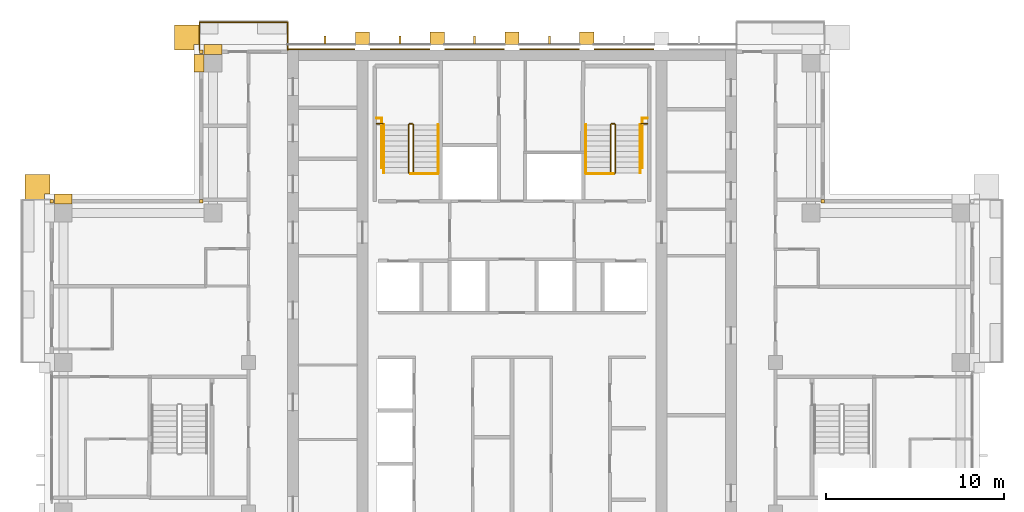
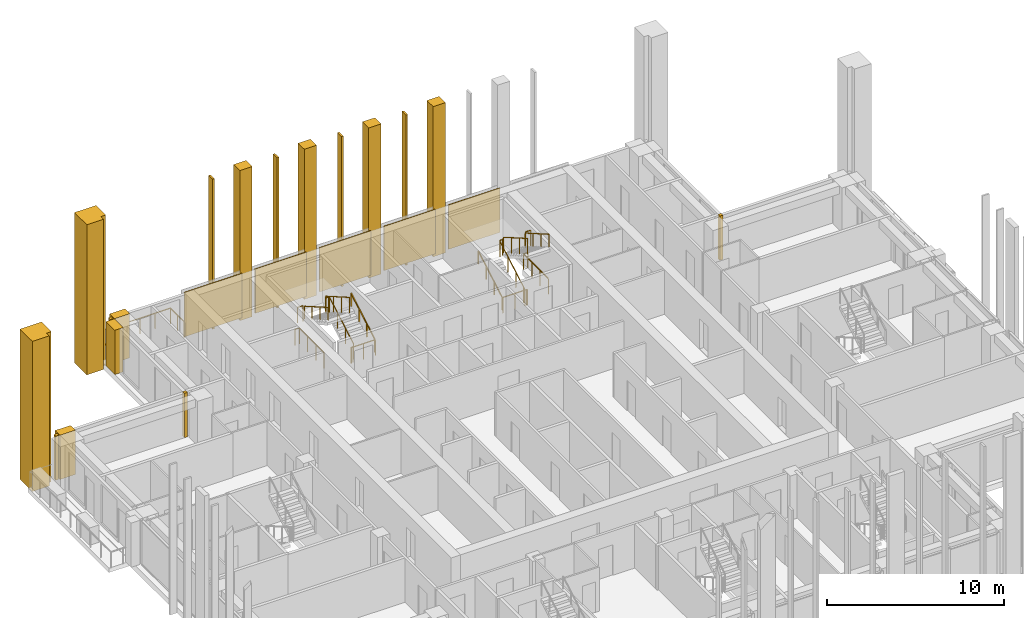
# One storey, part 16 of 17: 22 coverings, 13 railings.
"""IFC4 building model written with IfcOpenShell, lengths in metres."""

from ifc_helpers import new_model, si_unit, direction, frame, origin, origin_2d, place, context, subcontext, project, spatial, polyline, rectangle, outline, extrude, material, layer, layer_set, type_object, element, save


model = new_model("IFC4")

# Units and contexts
model_context = context("Model", 3, precision=1e-05, world=origin(), true_north=direction((0.0, 1.0)))
body_context = subcontext(model_context, "Body", "Model", "MODEL_VIEW")
ifc_project = project(units=[si_unit("LENGTHUNIT", "METRE"), si_unit("AREAUNIT", "SQUARE_METRE"), si_unit("VOLUMEUNIT", "CUBIC_METRE"), si_unit("PLANEANGLEUNIT", "RADIAN"), si_unit("MASSUNIT", "GRAM", prefix="KILO")], contexts=[model_context])

# Site, building, storey
site_placement = place(None, origin())
site = spatial("IfcSite", under=ifc_project, at=site_placement, CompositionType="ELEMENT")
building_placement = place(site_placement, origin())
building = spatial("IfcBuilding", under=site, at=building_placement, Name="Vermilion Ogive Tower", CompositionType="ELEMENT")
storey_placement = place(building_placement, frame((0.0, 0.0, 175.550048828125)))
storey = spatial("IfcBuildingStorey", under=building, at=storey_placement, Name="L45", CompositionType="ELEMENT", Elevation=175.550048828125)

# Railing
ifc_material_1 = material(Name="Stainless steel and glass", Category="steel")
railing_type_1 = type_object("IfcRailingType", Name="Balcony guard", PredefinedType="GUARDRAIL", material=ifc_material_1)
railing_1_placement = place(storey_placement, frame((-12.60009765625, 21.75, -0.0400390625)))
element("IfcRailing", 1, at=railing_1_placement, inside=storey, type_object=railing_type_1, Name="Guard N201", PredefinedType="GUARDRAIL", context=body_context, shape_type="SweptSolid", body=[
    extrude(rectangle(XDim=0.048095703125, YDim=0.048095703125, at=origin_2d()), frame((0.0, 0.0, 1.076171875), z_axis=(0.0, 1.0, 0.0), x_axis=(-1.0, 0.0, 0.0)), (0.0, 0.0, 1.0), 1.56396484375),
    extrude(rectangle(XDim=0.048095703125, YDim=0.048095703125, at=origin_2d()), frame((0.0, 1.56396484375, 1.076171875), z_axis=(-1.0, 0.0, 0.0), x_axis=(0.0, -1.0, 0.0)), (0.0, 0.0, 1.0), 4.949951171875),
    extrude(rectangle(XDim=0.048095703125, YDim=0.048095703125, at=origin_2d()), frame((-4.949951171875, 1.56396484375, 1.076171875), z_axis=(0.0, -1.0, 0.0), x_axis=(1.0, 0.0, 0.0)), (0.0, 0.0, 1.0), 1.56396484375),
    extrude(rectangle(XDim=0.0419921875, YDim=0.0419921875, at=origin_2d()), origin(), (0.0, 0.0, 1.0), 1.052001953125),
    extrude(rectangle(XDim=0.0419921875, YDim=0.0419921875, at=origin_2d()), frame((0.0, 0.781982421875, 0.0)), (0.0, 0.0, 1.0), 1.052001953125),
    extrude(rectangle(XDim=0.0419921875, YDim=0.0419921875, at=origin_2d()), frame((0.0, 1.56396484375, 0.0)), (0.0, 0.0, 1.0), 1.052001953125),
    extrude(rectangle(XDim=0.0419921875, YDim=0.0419921875, at=origin_2d()), frame((-0.989990234375, 1.56396484375, 0.0)), (0.0, 0.0, 1.0), 1.052001953125),
    extrude(rectangle(XDim=0.0419921875, YDim=0.0419921875, at=origin_2d()), frame((-1.97998046875, 1.56396484375, 0.0)), (0.0, 0.0, 1.0), 1.052001953125),
    extrude(rectangle(XDim=0.0419921875, YDim=0.0419921875, at=origin_2d()), frame((-2.969970703125, 1.56396484375, 0.0)), (0.0, 0.0, 1.0), 1.052001953125),
    extrude(rectangle(XDim=0.0419921875, YDim=0.0419921875, at=origin_2d()), frame((-3.9599609375, 1.56396484375, 0.0)), (0.0, 0.0, 1.0), 1.052001953125),
    extrude(rectangle(XDim=0.0419921875, YDim=0.0419921875, at=origin_2d()), frame((-4.949951171875, 1.56396484375, 0.0)), (0.0, 0.0, 1.0), 1.052001953125),
    extrude(rectangle(XDim=0.0419921875, YDim=0.0419921875, at=origin_2d()), frame((-4.949951171875, 0.781982421875, 0.0)), (0.0, 0.0, 1.0), 1.052001953125),
    extrude(rectangle(XDim=0.0419921875, YDim=0.0419921875, at=origin_2d()), frame((-4.949951171875, 0.0, 0.0)), (0.0, 0.0, 1.0), 1.052001953125),
])

# Coverings
ifc_material_2 = material(Name="Glazed ceramic screen")
ifc_layer = layer(ifc_material_2, 0.14990234375)
ifc_layer_set = layer_set([ifc_layer], Name="Ceramic solar screen fin")
covering_type_1 = type_object("IfcCoveringType", Name="Ceramic solar screen fin", PredefinedType="CLADDING", material=ifc_layer_set)
covering_1_placement = place(storey_placement, frame((0.0, 0.0, -0.400146484375)))
element("IfcCovering", 2, at=covering_1_placement, inside=storey, type_object=covering_type_1, Name="Solar screen blade N1", PredefinedType="CLADDING", context=body_context, shape_type="SweptSolid", body=[
    extrude(outline(polyline([(-10.56005859375, 22.08203125), (-10.43994140625, 22.08203125), (-10.43994140625, 22.531982421875), (-10.56005859375, 22.531982421875), (-10.56005859375, 22.08203125)])), origin(), (0.0, 0.0, 1.0), 10.35009765625),
])
covering_2_placement = place(storey_placement, frame((0.0, 0.0, -0.400146484375)))
element("IfcCovering", 3, at=covering_2_placement, inside=storey, type_object=covering_type_1, Name="Solar screen blade N2", PredefinedType="CLADDING", context=body_context, shape_type="SweptSolid", body=[
    extrude(outline(polyline([(-6.360107421875, 22.08203125), (-6.239990234375, 22.08203125), (-6.239990234375, 22.531982421875), (-6.360107421875, 22.531982421875), (-6.360107421875, 22.08203125)])), origin(), (0.0, 0.0, 1.0), 10.35009765625),
])
covering_3_placement = place(storey_placement, frame((0.0, 0.0, -0.400146484375)))
element("IfcCovering", 4, at=covering_3_placement, inside=storey, type_object=covering_type_1, Name="Solar screen blade N3", PredefinedType="CLADDING", context=body_context, shape_type="SweptSolid", body=[
    extrude(outline(polyline([(-2.159912109375, 22.08203125), (-2.0400390625, 22.08203125), (-2.0400390625, 22.531982421875), (-2.159912109375, 22.531982421875), (-2.159912109375, 22.08203125)])), origin(), (0.0, 0.0, 1.0), 10.35009765625),
])
covering_4_placement = place(storey_placement, frame((0.0, 0.0, -0.400146484375)))
element("IfcCovering", 5, at=covering_4_placement, inside=storey, type_object=covering_type_1, Name="Solar screen blade N4", PredefinedType="CLADDING", context=body_context, shape_type="SweptSolid", body=[
    extrude(outline(polyline([(2.0400390625, 22.08203125), (2.159912109375, 22.08203125), (2.159912109375, 22.531982421875), (2.0400390625, 22.531982421875), (2.0400390625, 22.08203125)])), origin(), (0.0, 0.0, 1.0), 10.35009765625),
])

# Railings
ifc_material_3 = material(Name="Steel S355 painted", Category="steel")
railing_type_2 = type_object("IfcRailingType", Name="Stair guard 1100", PredefinedType="GUARDRAIL", material=ifc_material_3)
railing_2_placement = place(storey_placement, frame((-5.75, 14.800048828125, 0.0)))
element("IfcRailing", 6, at=railing_2_placement, inside=storey, type_object=railing_type_2, Name="L45 ST1 stair guard 4", PredefinedType="GUARDRAIL", context=body_context, shape_type="SweptSolid", body=[
    extrude(rectangle(XDim=0.048095703125, YDim=0.048095703125, at=origin_2d()), frame((0.0, 0.0, 1.076171875), z_axis=(1.0, 0.0, 0.0), x_axis=(0.0, 1.0, 0.0)), (0.0, 0.0, 1.0), 0.14990234375),
    extrude(rectangle(XDim=0.048095703125, YDim=0.048095703125, at=origin_2d()), frame((0.14990234375, 0.0, 1.076171875), z_axis=(0.268603158521, 0.268603158521, 0.925043072762), x_axis=(-0.707106781187, 0.707106781187, 0.0)), (0.0, 0.0, 1.0), 0.186279296875),
    extrude(rectangle(XDim=0.048095703125, YDim=0.048095703125, at=origin_2d()), frame((0.199951171875, 0.050048828125, 1.24853515625), z_axis=(0.0, 0.866903762492, 0.498475542607), x_axis=(-1.0, 0.0, 0.0)), (0.0, 0.0, 1.0), 3.114501953125),
    extrude(rectangle(XDim=0.048095703125, YDim=0.048095703125, at=origin_2d()), frame((0.199951171875, 2.75, 2.80078125), z_axis=(-0.707106781187, 0.707106781187, 0.0), x_axis=(-0.707106781187, -0.707106781187, 0.0)), (0.0, 0.0, 1.0), 0.07080078125),
    extrude(rectangle(XDim=0.048095703125, YDim=0.048095703125, at=origin_2d()), frame((0.14990234375, 2.800048828125, 2.80078125), z_axis=(-1.0, 0.0, 0.0), x_axis=(0.0, -1.0, 0.0)), (0.0, 0.0, 1.0), 0.14990234375),
    extrude(rectangle(XDim=0.048095703125, YDim=0.048095703125, at=origin_2d()), frame((0.0, 2.800048828125, 2.80078125), z_axis=(-0.268277960024, -0.268277960024, 0.925231793839), x_axis=(0.707106781187, -0.707106781187, 0.0)), (0.0, 0.0, 1.0), 0.1865234375),
    extrude(rectangle(XDim=0.048095703125, YDim=0.048095703125, at=origin_2d()), frame((-0.050048828125, 2.75, 2.9736328125), z_axis=(0.0, -0.866903762492, 0.498475542607), x_axis=(1.0, 0.0, 0.0)), (0.0, 0.0, 1.0), 3.114501953125),
    extrude(rectangle(XDim=0.0419921875, YDim=0.0419921875, at=origin_2d()), origin(), (0.0, 0.0, 1.0), 1.052001953125),
    extrude(rectangle(XDim=0.0419921875, YDim=0.0419921875, at=origin_2d()), frame((0.14990234375, 0.0, 0.0)), (0.0, 0.0, 1.0), 1.052001953125),
    extrude(rectangle(XDim=0.0419921875, YDim=0.0419921875, at=origin_2d()), frame((0.199951171875, 0.050048828125, 0.17236328125)), (0.0, 0.0, 1.0), 1.052001953125),
    extrude(rectangle(XDim=0.0419921875, YDim=0.0419921875, at=origin_2d()), frame((0.199951171875, 0.949951171875, 0.68994140625)), (0.0, 0.0, 1.0), 1.052001953125),
    extrude(rectangle(XDim=0.0419921875, YDim=0.0419921875, at=origin_2d()), frame((0.199951171875, 1.85009765625, 1.207275390625)), (0.0, 0.0, 1.0), 1.052001953125),
    extrude(rectangle(XDim=0.0419921875, YDim=0.0419921875, at=origin_2d()), frame((0.199951171875, 2.75, 1.724853515625)), (0.0, 0.0, 1.0), 1.052001953125),
    extrude(rectangle(XDim=0.0419921875, YDim=0.0419921875, at=origin_2d()), frame((0.14990234375, 2.800048828125, 1.724853515625)), (0.0, 0.0, 1.0), 1.052001953125),
    extrude(rectangle(XDim=0.0419921875, YDim=0.0419921875, at=origin_2d()), frame((0.0, 2.800048828125, 1.724853515625)), (0.0, 0.0, 1.0), 1.052001953125),
    extrude(rectangle(XDim=0.0419921875, YDim=0.0419921875, at=origin_2d()), frame((-0.050048828125, 2.75, 1.8974609375)), (0.0, 0.0, 1.0), 1.052001953125),
    extrude(rectangle(XDim=0.0419921875, YDim=0.0419921875, at=origin_2d()), frame((-0.050048828125, 1.85009765625, 2.4150390625)), (0.0, 0.0, 1.0), 1.052001953125),
    extrude(rectangle(XDim=0.0419921875, YDim=0.0419921875, at=origin_2d()), frame((-0.050048828125, 0.949951171875, 2.932373046875)), (0.0, 0.0, 1.0), 1.052001953125),
    extrude(rectangle(XDim=0.0419921875, YDim=0.0419921875, at=origin_2d()), frame((-0.050048828125, 0.050048828125, 3.449951171875)), (0.0, 0.0, 1.0), 1.052001953125),
])
railing_3_placement = place(storey_placement, frame((5.75, 14.800048828125, 0.0)))
element("IfcRailing", 7, at=railing_3_placement, inside=storey, type_object=railing_type_2, Name="L45 ST2 stair guard 4", PredefinedType="GUARDRAIL", context=body_context, shape_type="SweptSolid", body=[
    extrude(rectangle(XDim=0.048095703125, YDim=0.048095703125, at=origin_2d()), frame((0.0, 0.0, 1.076171875), z_axis=(-1.0, 0.0, 0.0), x_axis=(0.0, -1.0, 0.0)), (0.0, 0.0, 1.0), 0.14990234375),
    extrude(rectangle(XDim=0.048095703125, YDim=0.048095703125, at=origin_2d()), frame((-0.14990234375, 0.0, 1.076171875), z_axis=(-0.268603158521, 0.268603158521, 0.925043072762), x_axis=(-0.707106781187, -0.707106781187, 0.0)), (0.0, 0.0, 1.0), 0.186279296875),
    extrude(rectangle(XDim=0.048095703125, YDim=0.048095703125, at=origin_2d()), frame((-0.199951171875, 0.050048828125, 1.24853515625), z_axis=(0.0, 0.866903762492, 0.498475542607), x_axis=(-1.0, 0.0, 0.0)), (0.0, 0.0, 1.0), 3.114501953125),
    extrude(rectangle(XDim=0.048095703125, YDim=0.048095703125, at=origin_2d()), frame((-0.199951171875, 2.75, 2.80078125), z_axis=(0.707106781187, 0.707106781187, 0.0), x_axis=(-0.707106781187, 0.707106781187, 0.0)), (0.0, 0.0, 1.0), 0.07080078125),
    extrude(rectangle(XDim=0.048095703125, YDim=0.048095703125, at=origin_2d()), frame((-0.14990234375, 2.800048828125, 2.80078125), z_axis=(1.0, 0.0, 0.0), x_axis=(0.0, 1.0, 0.0)), (0.0, 0.0, 1.0), 0.14990234375),
    extrude(rectangle(XDim=0.048095703125, YDim=0.048095703125, at=origin_2d()), frame((0.0, 2.800048828125, 2.80078125), z_axis=(0.268277960024, -0.268277960024, 0.925231793839), x_axis=(0.707106781187, 0.707106781187, 0.0)), (0.0, 0.0, 1.0), 0.1865234375),
    extrude(rectangle(XDim=0.048095703125, YDim=0.048095703125, at=origin_2d()), frame((0.050048828125, 2.75, 2.9736328125), z_axis=(0.0, -0.866903762492, 0.498475542607), x_axis=(1.0, 0.0, 0.0)), (0.0, 0.0, 1.0), 3.114501953125),
    extrude(rectangle(XDim=0.0419921875, YDim=0.0419921875, at=origin_2d()), origin(), (0.0, 0.0, 1.0), 1.052001953125),
    extrude(rectangle(XDim=0.0419921875, YDim=0.0419921875, at=origin_2d()), frame((-0.14990234375, 0.0, 0.0)), (0.0, 0.0, 1.0), 1.052001953125),
    extrude(rectangle(XDim=0.0419921875, YDim=0.0419921875, at=origin_2d()), frame((-0.199951171875, 0.050048828125, 0.17236328125)), (0.0, 0.0, 1.0), 1.052001953125),
    extrude(rectangle(XDim=0.0419921875, YDim=0.0419921875, at=origin_2d()), frame((-0.199951171875, 0.949951171875, 0.68994140625)), (0.0, 0.0, 1.0), 1.052001953125),
    extrude(rectangle(XDim=0.0419921875, YDim=0.0419921875, at=origin_2d()), frame((-0.199951171875, 1.85009765625, 1.207275390625)), (0.0, 0.0, 1.0), 1.052001953125),
    extrude(rectangle(XDim=0.0419921875, YDim=0.0419921875, at=origin_2d()), frame((-0.199951171875, 2.75, 1.724853515625)), (0.0, 0.0, 1.0), 1.052001953125),
    extrude(rectangle(XDim=0.0419921875, YDim=0.0419921875, at=origin_2d()), frame((-0.14990234375, 2.800048828125, 1.724853515625)), (0.0, 0.0, 1.0), 1.052001953125),
    extrude(rectangle(XDim=0.0419921875, YDim=0.0419921875, at=origin_2d()), frame((0.0, 2.800048828125, 1.724853515625)), (0.0, 0.0, 1.0), 1.052001953125),
    extrude(rectangle(XDim=0.0419921875, YDim=0.0419921875, at=origin_2d()), frame((0.050048828125, 2.75, 1.8974609375)), (0.0, 0.0, 1.0), 1.052001953125),
    extrude(rectangle(XDim=0.0419921875, YDim=0.0419921875, at=origin_2d()), frame((0.050048828125, 1.85009765625, 2.4150390625)), (0.0, 0.0, 1.0), 1.052001953125),
    extrude(rectangle(XDim=0.0419921875, YDim=0.0419921875, at=origin_2d()), frame((0.050048828125, 0.949951171875, 2.932373046875)), (0.0, 0.0, 1.0), 1.052001953125),
    extrude(rectangle(XDim=0.0419921875, YDim=0.0419921875, at=origin_2d()), frame((0.050048828125, 0.050048828125, 3.449951171875)), (0.0, 0.0, 1.0), 1.052001953125),
])
for number, where, name in (
    (8, (-7.60009765625, 17.60009765625, 1.724853515625), "L45 landing guard"),
    (9, (7.25, 17.60009765625, 1.724853515625), "L45 landing guard"),
):
    element("IfcRailing", number, at=place(storey_placement, frame(where)), inside=storey, type_object=railing_type_2, Name=name, PredefinedType="GUARDRAIL", context=body_context, shape_type="SweptSolid", body=[
        extrude(rectangle(XDim=0.048095703125, YDim=0.048095703125, at=origin_2d()), frame((0.0, 0.0, 1.076171875), z_axis=(1.0, 0.0, 0.0), x_axis=(0.0, 1.0, 0.0)), (0.0, 0.0, 1.0), 0.35009765625),
        extrude(rectangle(XDim=0.0419921875, YDim=0.0419921875, at=origin_2d()), origin(), (0.0, 0.0, 1.0), 1.052001953125),
        extrude(rectangle(XDim=0.0419921875, YDim=0.0419921875, at=origin_2d()), frame((0.35009765625, 0.0, 0.0)), (0.0, 0.0, 1.0), 1.052001953125),
    ])
railing_4_placement = place(storey_placement, frame((-4.159912109375, 14.7900390625, 0.0)))
element("IfcRailing", 10, at=railing_4_placement, inside=storey, type_object=railing_type_2, Name="L45 stair opening guard", PredefinedType="GUARDRAIL", context=body_context, shape_type="SweptSolid", body=[
    extrude(rectangle(XDim=0.048095703125, YDim=0.048095703125, at=origin_2d()), frame((0.0, 0.0, 1.076171875), z_axis=(-1.0, 0.0, 0.0), x_axis=(0.0, -1.0, 0.0)), (0.0, 0.0, 1.0), 1.5400390625),
    extrude(rectangle(XDim=0.0419921875, YDim=0.0419921875, at=origin_2d()), origin(), (0.0, 0.0, 1.0), 1.052001953125),
    extrude(rectangle(XDim=0.0419921875, YDim=0.0419921875, at=origin_2d()), frame((-0.77001953125, 0.0, 0.0)), (0.0, 0.0, 1.0), 1.052001953125),
    extrude(rectangle(XDim=0.0419921875, YDim=0.0419921875, at=origin_2d()), frame((-1.5400390625, 0.0, 0.0)), (0.0, 0.0, 1.0), 1.052001953125),
])
railing_5_placement = place(storey_placement, frame((-7.309814453125, 15.119384765625, 0.0)))
element("IfcRailing", 11, at=railing_5_placement, inside=storey, type_object=railing_type_2, Name="L45 stair opening guard", PredefinedType="GUARDRAIL", context=body_context, shape_type="SweptSolid", body=[
    extrude(rectangle(XDim=0.048095703125, YDim=0.048095703125, at=origin_2d()), frame((0.0, 0.0, 1.076171875), z_axis=(0.0, 1.0, 0.0), x_axis=(-1.0, 0.0, 0.0)), (0.0, 0.0, 1.0), 2.804443359375),
    extrude(rectangle(XDim=0.048095703125, YDim=0.048095703125, at=origin_2d()), frame((0.0, 2.804443359375, 1.076171875), z_axis=(-1.0, 0.0, 0.0), x_axis=(0.0, -1.0, 0.0)), (0.0, 0.0, 1.0), 0.289794921875),
    extrude(rectangle(XDim=0.0419921875, YDim=0.0419921875, at=origin_2d()), origin(), (0.0, 0.0, 1.0), 1.052001953125),
    extrude(rectangle(XDim=0.0419921875, YDim=0.0419921875, at=origin_2d()), frame((0.0, 0.934814453125, 0.0)), (0.0, 0.0, 1.0), 1.052001953125),
    extrude(rectangle(XDim=0.0419921875, YDim=0.0419921875, at=origin_2d()), frame((0.0, 1.86962890625, 0.0)), (0.0, 0.0, 1.0), 1.052001953125),
    extrude(rectangle(XDim=0.0419921875, YDim=0.0419921875, at=origin_2d()), frame((0.0, 2.804443359375, 0.0)), (0.0, 0.0, 1.0), 1.052001953125),
    extrude(rectangle(XDim=0.0419921875, YDim=0.0419921875, at=origin_2d()), frame((-0.289794921875, 2.804443359375, 0.0)), (0.0, 0.0, 1.0), 1.052001953125),
])
railing_6_placement = place(storey_placement, frame((7.599609375, 17.923828125, 0.0)))
element("IfcRailing", 12, at=railing_6_placement, inside=storey, type_object=railing_type_2, Name="L45 stair opening guard", PredefinedType="GUARDRAIL", context=body_context, shape_type="SweptSolid", body=[
    extrude(rectangle(XDim=0.048095703125, YDim=0.048095703125, at=origin_2d()), frame((0.0, 0.0, 1.076171875), z_axis=(-1.0, 0.0, 0.0), x_axis=(0.0, -1.0, 0.0)), (0.0, 0.0, 1.0), 0.289794921875),
    extrude(rectangle(XDim=0.048095703125, YDim=0.048095703125, at=origin_2d()), frame((-0.289794921875, 0.0, 1.076171875), z_axis=(0.0, -1.0, 0.0), x_axis=(1.0, 0.0, 0.0)), (0.0, 0.0, 1.0), 2.804443359375),
    extrude(rectangle(XDim=0.0419921875, YDim=0.0419921875, at=origin_2d()), origin(), (0.0, 0.0, 1.0), 1.052001953125),
    extrude(rectangle(XDim=0.0419921875, YDim=0.0419921875, at=origin_2d()), frame((-0.289794921875, 0.0, 0.0)), (0.0, 0.0, 1.0), 1.052001953125),
    extrude(rectangle(XDim=0.0419921875, YDim=0.0419921875, at=origin_2d()), frame((-0.289794921875, -0.934814453125, 0.0)), (0.0, 0.0, 1.0), 1.052001953125),
    extrude(rectangle(XDim=0.0419921875, YDim=0.0419921875, at=origin_2d()), frame((-0.289794921875, -1.86962890625, 0.0)), (0.0, 0.0, 1.0), 1.052001953125),
    extrude(rectangle(XDim=0.0419921875, YDim=0.0419921875, at=origin_2d()), frame((-0.289794921875, -2.804443359375, 0.0)), (0.0, 0.0, 1.0), 1.052001953125),
])
railing_7_placement = place(storey_placement, frame((5.699951171875, 14.7900390625, 0.0)))
element("IfcRailing", 13, at=railing_7_placement, inside=storey, type_object=railing_type_2, Name="L45 stair opening guard", PredefinedType="GUARDRAIL", context=body_context, shape_type="SweptSolid", body=[
    extrude(rectangle(XDim=0.048095703125, YDim=0.048095703125, at=origin_2d()), frame((0.0, 0.0, 1.076171875), z_axis=(-1.0, 0.0, 0.0), x_axis=(0.0, -1.0, 0.0)), (0.0, 0.0, 1.0), 1.5400390625),
    extrude(rectangle(XDim=0.0419921875, YDim=0.0419921875, at=origin_2d()), origin(), (0.0, 0.0, 1.0), 1.052001953125),
    extrude(rectangle(XDim=0.0419921875, YDim=0.0419921875, at=origin_2d()), frame((-0.77001953125, 0.0, 0.0)), (0.0, 0.0, 1.0), 1.052001953125),
    extrude(rectangle(XDim=0.0419921875, YDim=0.0419921875, at=origin_2d()), frame((-1.5400390625, 0.0, 0.0)), (0.0, 0.0, 1.0), 1.052001953125),
])
ifc_material_4 = material(Name="Stainless steel", Category="steel")
railing_type_3 = type_object("IfcRailingType", Name="Stair handrail 900", PredefinedType="HANDRAIL", material=ifc_material_4)
railing_8_placement = place(storey_placement, frame((-4.14990234375, 14.85009765625, 0.17236328125)))
element("IfcRailing", 14, at=railing_8_placement, inside=storey, type_object=railing_type_3, Name="L45 ST1 stair handrail 1", PredefinedType="HANDRAIL", context=body_context, shape_type="SweptSolid", body=[
    extrude(rectangle(XDim=0.048095703125, YDim=0.048095703125, at=origin_2d()), frame((0.0, 0.0, 0.8759765625), z_axis=(0.0, 0.866903762492, 0.498475542607), x_axis=(-1.0, 0.0, 0.0)), (0.0, 0.0, 1.0), 3.114501953125),
    extrude(rectangle(XDim=0.0419921875, YDim=0.0419921875, at=origin_2d()), origin(), (0.0, 0.0, 1.0), 0.851806640625),
    extrude(rectangle(XDim=0.0419921875, YDim=0.0419921875, at=origin_2d()), frame((0.0, 0.89990234375, 0.517578125)), (0.0, 0.0, 1.0), 0.851806640625),
    extrude(rectangle(XDim=0.0419921875, YDim=0.0419921875, at=origin_2d()), frame((0.0, 1.800048828125, 1.034912109375)), (0.0, 0.0, 1.0), 0.851806640625),
    extrude(rectangle(XDim=0.0419921875, YDim=0.0419921875, at=origin_2d()), frame((0.0, 2.699951171875, 1.552490234375)), (0.0, 0.0, 1.0), 0.851806640625),
])
railing_9_placement = place(storey_placement, frame((-7.199951171875, 17.550048828125, 1.8974609375)))
element("IfcRailing", 15, at=railing_9_placement, inside=storey, type_object=railing_type_3, Name="L45 ST1 stair handrail 2", PredefinedType="HANDRAIL", context=body_context, shape_type="SweptSolid", body=[
    extrude(rectangle(XDim=0.048095703125, YDim=0.048095703125, at=origin_2d()), frame((0.0, 0.0, 0.8759765625), z_axis=(0.0, -0.866903762492, 0.498475542607), x_axis=(1.0, 0.0, 0.0)), (0.0, 0.0, 1.0), 3.114501953125),
    extrude(rectangle(XDim=0.0419921875, YDim=0.0419921875, at=origin_2d()), origin(), (0.0, 0.0, 1.0), 0.851806640625),
    extrude(rectangle(XDim=0.0419921875, YDim=0.0419921875, at=origin_2d()), frame((0.0, -0.89990234375, 0.517578125)), (0.0, 0.0, 1.0), 0.851806640625),
    extrude(rectangle(XDim=0.0419921875, YDim=0.0419921875, at=origin_2d()), frame((0.0, -1.800048828125, 1.034912109375)), (0.0, 0.0, 1.0), 0.851806640625),
    extrude(rectangle(XDim=0.0419921875, YDim=0.0419921875, at=origin_2d()), frame((0.0, -2.699951171875, 1.552490234375)), (0.0, 0.0, 1.0), 0.851806640625),
])
railing_10_placement = place(storey_placement, frame((4.14990234375, 14.85009765625, 0.17236328125)))
element("IfcRailing", 16, at=railing_10_placement, inside=storey, type_object=railing_type_3, Name="L45 ST2 stair handrail 1", PredefinedType="HANDRAIL", context=body_context, shape_type="SweptSolid", body=[
    extrude(rectangle(XDim=0.048095703125, YDim=0.048095703125, at=origin_2d()), frame((0.0, 0.0, 0.8759765625), z_axis=(0.0, 0.866903762492, 0.498475542607), x_axis=(-1.0, 0.0, 0.0)), (0.0, 0.0, 1.0), 3.114501953125),
    extrude(rectangle(XDim=0.0419921875, YDim=0.0419921875, at=origin_2d()), origin(), (0.0, 0.0, 1.0), 0.851806640625),
    extrude(rectangle(XDim=0.0419921875, YDim=0.0419921875, at=origin_2d()), frame((0.0, 0.89990234375, 0.517578125)), (0.0, 0.0, 1.0), 0.851806640625),
    extrude(rectangle(XDim=0.0419921875, YDim=0.0419921875, at=origin_2d()), frame((0.0, 1.800048828125, 1.034912109375)), (0.0, 0.0, 1.0), 0.851806640625),
    extrude(rectangle(XDim=0.0419921875, YDim=0.0419921875, at=origin_2d()), frame((0.0, 2.699951171875, 1.552490234375)), (0.0, 0.0, 1.0), 0.851806640625),
])
railing_11_placement = place(storey_placement, frame((7.199951171875, 17.550048828125, 1.8974609375)))
element("IfcRailing", 17, at=railing_11_placement, inside=storey, type_object=railing_type_3, Name="L45 ST2 stair handrail 2", PredefinedType="HANDRAIL", context=body_context, shape_type="SweptSolid", body=[
    extrude(rectangle(XDim=0.048095703125, YDim=0.048095703125, at=origin_2d()), frame((0.0, 0.0, 0.8759765625), z_axis=(0.0, -0.866903762492, 0.498475542607), x_axis=(1.0, 0.0, 0.0)), (0.0, 0.0, 1.0), 3.114501953125),
    extrude(rectangle(XDim=0.0419921875, YDim=0.0419921875, at=origin_2d()), origin(), (0.0, 0.0, 1.0), 0.851806640625),
    extrude(rectangle(XDim=0.0419921875, YDim=0.0419921875, at=origin_2d()), frame((0.0, -0.89990234375, 0.517578125)), (0.0, 0.0, 1.0), 0.851806640625),
    extrude(rectangle(XDim=0.0419921875, YDim=0.0419921875, at=origin_2d()), frame((0.0, -1.800048828125, 1.034912109375)), (0.0, 0.0, 1.0), 0.851806640625),
    extrude(rectangle(XDim=0.0419921875, YDim=0.0419921875, at=origin_2d()), frame((0.0, -2.699951171875, 1.552490234375)), (0.0, 0.0, 1.0), 0.851806640625),
])

# Coverings
ifc_material_5 = material(Name="Stone cladding", Category="masonry")
covering_type_2 = type_object("IfcCoveringType", Name="Stone buttress pier", PredefinedType="CLADDING", material=ifc_material_5)
covering_5_placement = place(storey_placement, frame((0.0, 0.0, -0.400146484375)))
element("IfcCovering", 18, at=covering_5_placement, inside=storey, type_object=covering_type_2, Name="Stone buttress pier N1", PredefinedType="CLADDING", context=body_context, shape_type="SweptSolid", body=[
    extrude(outline(polyline([(-8.0, 22.75), (-8.0, 22.050048828125), (-8.800048828125, 22.050048828125), (-8.800048828125, 22.75), (-8.0, 22.75)])), origin(), (0.0, 0.0, 1.0), 10.35009765625),
])
covering_6_placement = place(storey_placement, frame((0.0, 0.0, -0.400146484375)))
element("IfcCovering", 19, at=covering_6_placement, inside=storey, type_object=covering_type_2, Name="Stone buttress pier N2", PredefinedType="CLADDING", context=body_context, shape_type="SweptSolid", body=[
    extrude(outline(polyline([(-3.800048828125, 22.75), (-3.800048828125, 22.050048828125), (-4.60009765625, 22.050048828125), (-4.60009765625, 22.75), (-3.800048828125, 22.75)])), origin(), (0.0, 0.0, 1.0), 10.35009765625),
])
covering_7_placement = place(storey_placement, frame((0.0, 0.0, -0.400146484375)))
element("IfcCovering", 20, at=covering_7_placement, inside=storey, type_object=covering_type_2, Name="Stone buttress pier N3", PredefinedType="CLADDING", context=body_context, shape_type="SweptSolid", body=[
    extrude(outline(polyline([(0.39990234375, 22.75), (0.39990234375, 22.050048828125), (-0.39990234375, 22.050048828125), (-0.39990234375, 22.75), (0.39990234375, 22.75)])), origin(), (0.0, 0.0, 1.0), 10.35009765625),
])
covering_8_placement = place(storey_placement, frame((0.0, 0.0, -0.400146484375)))
element("IfcCovering", 21, at=covering_8_placement, inside=storey, type_object=covering_type_2, Name="Stone buttress pier N4", PredefinedType="CLADDING", context=body_context, shape_type="SweptSolid", body=[
    extrude(outline(polyline([(4.60009765625, 22.75), (4.60009765625, 22.050048828125), (3.800048828125, 22.050048828125), (3.800048828125, 22.75), (4.60009765625, 22.75)])), origin(), (0.0, 0.0, 1.0), 10.35009765625),
])
ifc_material_6 = material(Name="Stone cladding", Category="masonry")
covering_type_3 = type_object("IfcCoveringType", Name="Stone cladding panel", PredefinedType="CLADDING", material=ifc_material_6)
covering_9_placement = place(storey_placement, origin())
element("IfcCovering", 22, at=covering_9_placement, inside=storey, type_object=covering_type_3, Name="Stone cladding panel N1", PredefinedType="CLADDING", context=body_context, shape_type="SweptSolid", body=[
    extrude(outline(polyline([(-12.590087890625, 21.75), (-8.830078125, 21.75), (-8.830078125, 21.81005859375), (-12.590087890625, 21.81005859375), (-12.590087890625, 21.75)])), origin(), (0.0, 0.0, 1.0), 3.050048828125),
])
covering_10_placement = place(storey_placement, origin())
element("IfcCovering", 23, at=covering_10_placement, inside=storey, type_object=covering_type_3, Name="Stone cladding panel N2", PredefinedType="CLADDING", context=body_context, shape_type="SweptSolid", body=[
    extrude(outline(polyline([(-7.969970703125, 21.75), (-4.6298828125, 21.75), (-4.6298828125, 21.81005859375), (-7.969970703125, 21.81005859375), (-7.969970703125, 21.75)])), origin(), (0.0, 0.0, 1.0), 3.050048828125),
])
covering_11_placement = place(storey_placement, origin())
element("IfcCovering", 24, at=covering_11_placement, inside=storey, type_object=covering_type_3, Name="Stone cladding panel N3", PredefinedType="CLADDING", context=body_context, shape_type="SweptSolid", body=[
    extrude(outline(polyline([(-3.77001953125, 21.75), (-0.429931640625, 21.75), (-0.429931640625, 21.81005859375), (-3.77001953125, 21.81005859375), (-3.77001953125, 21.75)])), origin(), (0.0, 0.0, 1.0), 3.050048828125),
])
covering_12_placement = place(storey_placement, origin())
element("IfcCovering", 25, at=covering_12_placement, inside=storey, type_object=covering_type_3, Name="Stone cladding panel N4", PredefinedType="CLADDING", context=body_context, shape_type="SweptSolid", body=[
    extrude(outline(polyline([(0.429931640625, 21.75), (3.77001953125, 21.75), (3.77001953125, 21.81005859375), (0.429931640625, 21.81005859375), (0.429931640625, 21.75)])), origin(), (0.0, 0.0, 1.0), 3.050048828125),
])
covering_13_placement = place(storey_placement, origin())
element("IfcCovering", 26, at=covering_13_placement, inside=storey, type_object=covering_type_3, Name="Stone cladding panel N5", PredefinedType="CLADDING", context=body_context, shape_type="SweptSolid", body=[
    extrude(outline(polyline([(4.6298828125, 21.75), (7.969970703125, 21.75), (7.969970703125, 21.81005859375), (4.6298828125, 21.81005859375), (4.6298828125, 21.75)])), origin(), (0.0, 0.0, 1.0), 3.050048828125),
])
ifc_material_7 = material(Name="Stone cladding", Category="masonry")
covering_type_4 = type_object("IfcCoveringType", Name="Stone corner buttress", PredefinedType="CLADDING", material=ifc_material_7)
covering_14_placement = place(storey_placement, frame((0.0, 0.0, -0.400146484375)))
element("IfcCovering", 27, at=covering_14_placement, inside=storey, type_object=covering_type_4, Name="Stone corner buttress X51", PredefinedType="CLADDING", context=body_context, shape_type="SweptSolid", body=[
    extrude(outline(polyline([(-17.550048828125, 23.14990234375), (-17.550048828125, 22.050048828125), (-17.85009765625, 22.050048828125), (-17.85009765625, 21.75), (-18.949951171875, 21.75), (-18.949951171875, 23.14990234375), (-17.550048828125, 23.14990234375)])), origin(), (0.0, 0.0, 1.0), 10.35009765625),
])
covering_15_placement = place(storey_placement, frame((0.0, 0.0, -0.400146484375)))
element("IfcCovering", 28, at=covering_15_placement, inside=storey, type_object=covering_type_4, Name="Stone corner buttress W1", PredefinedType="CLADDING", context=body_context, shape_type="SweptSolid", body=[
    extrude(outline(polyline([(-26.25, 13.64990234375), (-26.25, 13.35009765625), (-27.35009765625, 13.35009765625), (-27.35009765625, 14.75), (-25.949951171875, 14.75), (-25.949951171875, 13.64990234375), (-26.25, 13.64990234375)])), origin(), (0.0, 0.0, 1.0), 10.35009765625),
])
ifc_material_8 = material(Name="Stone cladding", Category="masonry")
covering_type_5 = type_object("IfcCoveringType", Name="Stone pier", PredefinedType="CLADDING", material=ifc_material_8)
covering_16_placement = place(storey_placement, origin())
element("IfcCovering", 29, at=covering_16_placement, inside=storey, type_object=covering_type_5, Name="Stone corner pier X3E1", PredefinedType="CLADDING", context=body_context, shape_type="SweptSolid", body=[
    extrude(outline(polyline([(17.35009765625, 13.14990234375), (17.35009765625, 13.35009765625), (17.550048828125, 13.35009765625), (17.550048828125, 13.14990234375), (17.35009765625, 13.14990234375)])), origin(), (0.0, 0.0, 1.0), 3.050048828125),
])
covering_17_placement = place(storey_placement, origin())
element("IfcCovering", 30, at=covering_17_placement, inside=storey, type_object=covering_type_5, Name="Stone corner pier N2E1", PredefinedType="CLADDING", context=body_context, shape_type="SweptSolid", body=[
    extrude(outline(polyline([(-17.35009765625, 21.550048828125), (-17.550048828125, 21.550048828125), (-17.550048828125, 21.75), (-17.35009765625, 21.75), (-17.35009765625, 21.550048828125)])), origin(), (0.0, 0.0, 1.0), 3.050048828125),
])
covering_18_placement = place(storey_placement, origin())
element("IfcCovering", 31, at=covering_18_placement, inside=storey, type_object=covering_type_5, Name="Stone corner pier X5E1", PredefinedType="CLADDING", context=body_context, shape_type="SweptSolid", body=[
    extrude(outline(polyline([(-17.35009765625, 13.14990234375), (-17.550048828125, 13.14990234375), (-17.550048828125, 13.35009765625), (-17.35009765625, 13.35009765625), (-17.35009765625, 13.14990234375)])), origin(), (0.0, 0.0, 1.0), 3.050048828125),
])
covering_19_placement = place(storey_placement, origin())
element("IfcCovering", 32, at=covering_19_placement, inside=storey, type_object=covering_type_5, Name="Stone corner pier X6E1", PredefinedType="CLADDING", context=body_context, shape_type="SweptSolid", body=[
    extrude(outline(polyline([(-25.75, 13.14990234375), (-25.949951171875, 13.14990234375), (-25.949951171875, 13.35009765625), (-25.75, 13.35009765625), (-25.75, 13.14990234375)])), origin(), (0.0, 0.0, 1.0), 3.050048828125),
])
covering_20_placement = place(storey_placement, origin())
element("IfcCovering", 33, at=covering_20_placement, inside=storey, type_object=covering_type_5, Name="Stone pier P-0168+210N2", PredefinedType="CLADDING", context=body_context, shape_type="SweptSolid", body=[
    extrude(outline(polyline([(-17.300048828125, 21.5), (-17.300048828125, 22.050048828125), (-16.300048828125, 22.050048828125), (-16.300048828125, 21.5), (-17.300048828125, 21.5), (-17.300048828125, 21.5)])), origin(), (0.0, 0.0, 1.0), 3.050048828125),
])
covering_21_placement = place(storey_placement, origin())
element("IfcCovering", 34, at=covering_21_placement, inside=storey, type_object=covering_type_5, Name="Stone pier P-0168+210X5", PredefinedType="CLADDING", context=body_context, shape_type="SweptSolid", body=[
    extrude(outline(polyline([(-17.85009765625, 21.5), (-17.300048828125, 21.5), (-17.300048828125, 21.5), (-17.300048828125, 20.5), (-17.85009765625, 20.5), (-17.85009765625, 21.5)])), origin(), (0.0, 0.0, 1.0), 3.050048828125),
])
covering_22_placement = place(storey_placement, origin())
element("IfcCovering", 35, at=covering_22_placement, inside=storey, type_object=covering_type_5, Name="Stone pier P-0252+126X6", PredefinedType="CLADDING", context=body_context, shape_type="SweptSolid", body=[
    extrude(outline(polyline([(-25.699951171875, 13.10009765625), (-25.699951171875, 13.64990234375), (-24.699951171875, 13.64990234375), (-24.699951171875, 13.10009765625), (-24.699951171875, 13.10009765625), (-25.699951171875, 13.10009765625)])), origin(), (0.0, 0.0, 1.0), 3.050048828125),
])

save(model, "model.ifc")
